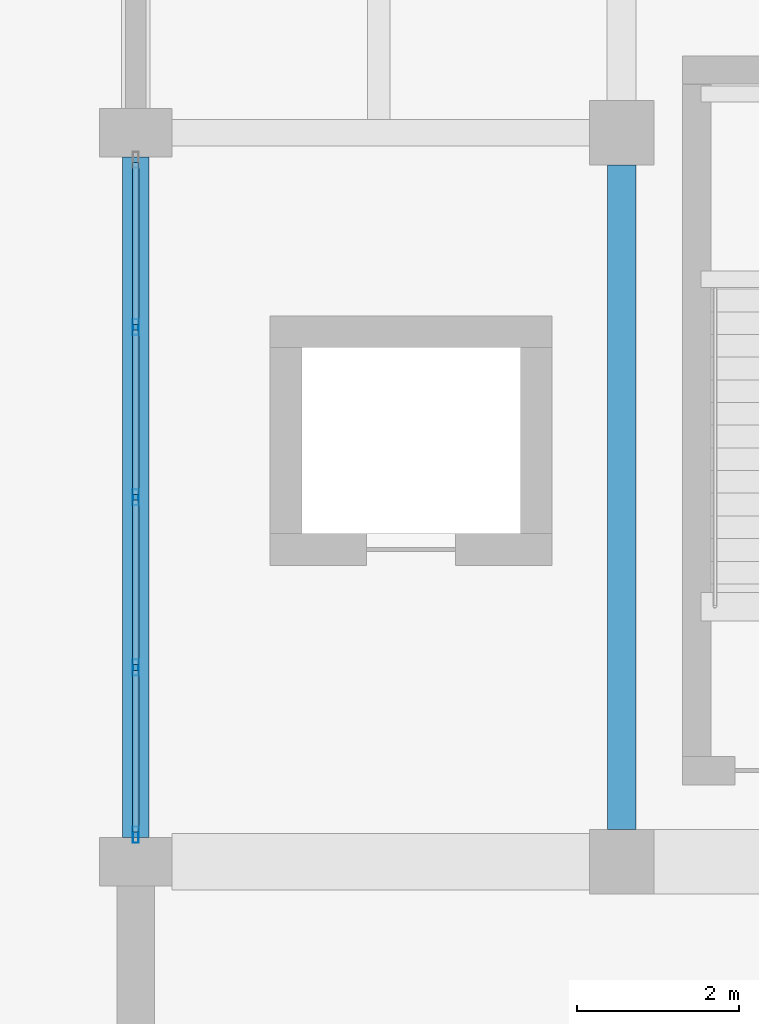
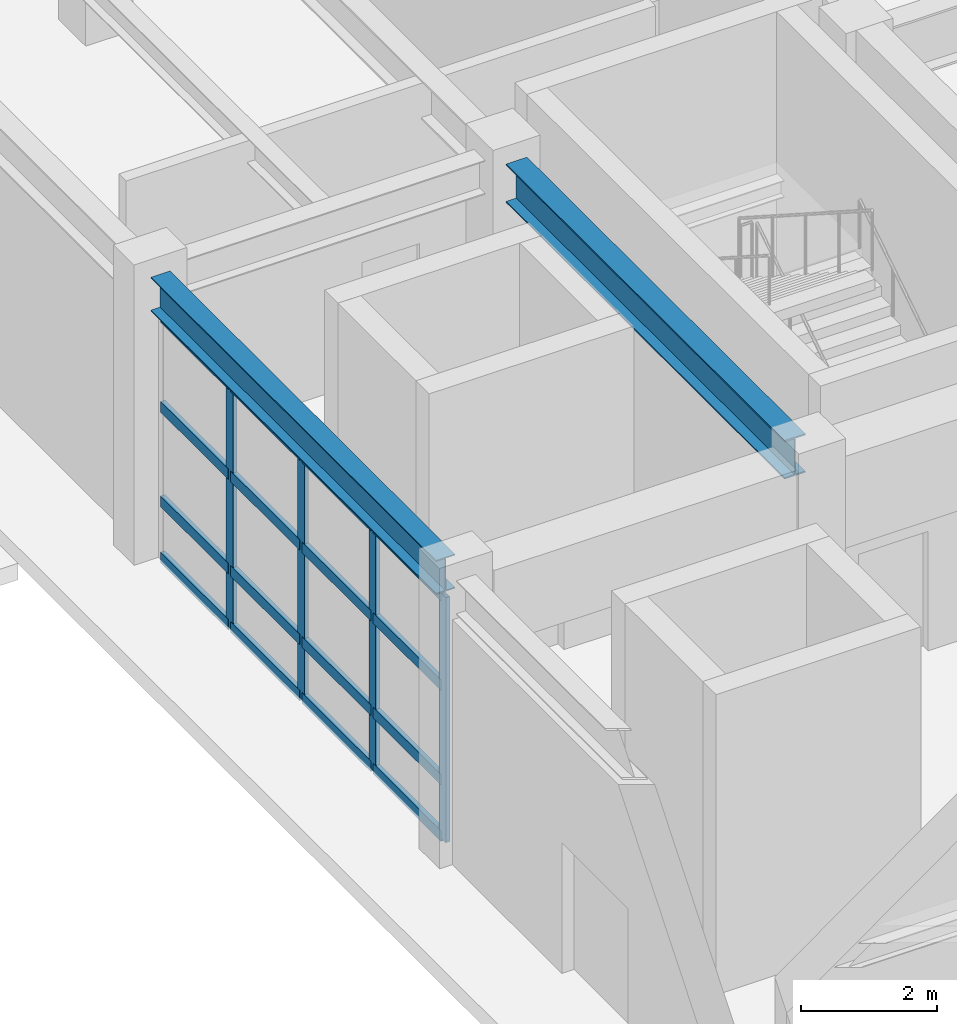
# One storey, part 9 of 91: 20 members, 2 beams, 1 element without a shape of its own.
"""IFC4 building model written with IfcOpenShell, lengths in metres."""

from ifc_helpers import new_model, si_unit, direction, frame, origin, origin_2d, place, context, subcontext, project, spatial, hollow_rectangle, i_section, extrude, material, layer, layer_set, material_profile, profile_set, type_object, element, aggregate, save


model = new_model("IFC4")

# Units and contexts
model_context = context("Model", 3, precision=1e-05, world=origin(), true_north=direction((0.0, 1.0)))
body_context = subcontext(model_context, "Body", "Model", "MODEL_VIEW")
ifc_project = project(units=[si_unit("LENGTHUNIT", "METRE"), si_unit("AREAUNIT", "SQUARE_METRE"), si_unit("VOLUMEUNIT", "CUBIC_METRE"), si_unit("PLANEANGLEUNIT", "RADIAN"), si_unit("MASSUNIT", "GRAM", prefix="KILO")], contexts=[model_context])

# Site, building, storey
site_placement = place(None, origin())
site = spatial("IfcSite", under=ifc_project, at=site_placement, CompositionType="ELEMENT")
building_placement = place(site_placement, origin())
building = spatial("IfcBuilding", under=site, at=building_placement, Name="Vaelkrest Opera House", CompositionType="ELEMENT")
storey_placement = place(building_placement, origin())
storey = spatial("IfcBuildingStorey", under=building, at=storey_placement, Name="L00", CompositionType="ELEMENT", Elevation=0.0)

# Beam
ifc_material_1 = material(Name="Steel A992 Gr50", Category="steel")
ifc_material_profile_1 = material_profile(ifc_material_1, i_section(OverallWidth=0.35498046875, OverallDepth=0.695068359375, WebThickness=0.015380859375, FlangeThickness=0.02490234375, at=origin_2d()), Name="W27X146")
ifc_profile_set_1 = profile_set([ifc_material_profile_1], Name="Steel A992 Gr50")
beam_type_1 = type_object("IfcBeamType", Name="B10", PredefinedType="BEAM", material=ifc_profile_set_1)
beam_1_placement = place(storey_placement, frame((-24.0, -28.39990234375, 4.732421875), z_axis=(0.0, 1.0, 0.0), x_axis=(-1.0, 0.0, 0.0)))
element("IfcBeam", 1, at=beam_1_placement, inside=storey, type_object=beam_type_1, Name="Beam BM-V1-L00-0149", PredefinedType="BEAM", context=body_context, shape_type="SweptSolid", body=[
    extrude(i_section(OverallWidth=0.35498046875, OverallDepth=0.695068359375, WebThickness=0.015380859375, FlangeThickness=0.02490234375, at=origin_2d()), origin(), (0.0, 0.0, 1.0), 8.199951171875),
])

# Curtain wall, members
ifc_material_2 = material(Name="Dark bronze anodized aluminium", Category="aluminium")
ifc_layer = layer(ifc_material_2, 0.22998046875)
ifc_layer_set = layer_set([ifc_layer], Name="Dark bronze anodized aluminium")
curtain_wall_type = type_object("IfcCurtainWallType", Name="CW06", PredefinedType="NOTDEFINED", material=ifc_layer_set)
curtain_wall_placement = place(storey_placement, origin())
curtain_wall = element("IfcCurtainWall", 2, at=curtain_wall_placement, inside=storey, type_object=curtain_wall_type, Name="Curtain wall CW-L00-014", PredefinedType="NOTDEFINED")
ifc_material_profile_2 = material_profile(ifc_material_2, hollow_rectangle(XDim=0.070068359375, YDim=0.199951171875, WallThickness=0.004150390625, at=origin_2d()), Name="CWM70X200")
ifc_profile_set_2 = profile_set([ifc_material_profile_2], Name="Dark bronze anodized aluminium")
member_type_1 = type_object("IfcMemberType", Name="CWM02", PredefinedType="MULLION", material=ifc_profile_set_2)
member_1_placement = place(storey_placement, frame((-30.0, -28.467041015625, 0.0), z_axis=(0.0, 0.0, 1.0), x_axis=(-1.0, 0.0, 0.0)))
member_1 = element("IfcMember", 3, at=member_1_placement, type_object=member_type_1, Name="CW06 mullion 1", PredefinedType="MULLION", context=body_context, shape_type="SweptSolid", body=[
    extrude(hollow_rectangle(XDim=0.070068359375, YDim=0.199951171875, WallThickness=0.004150390625, at=origin_2d()), origin(), (0.0, 0.0, 1.0), 4.404052734375),
])
member_2_placement = place(storey_placement, frame((-30.0, -26.40087890625, 0.0), z_axis=(0.0, 0.0, 1.0), x_axis=(-1.0, 0.0, 0.0)))
member_2 = element("IfcMember", 4, at=member_2_placement, type_object=member_type_1, Name="CW06 mullion 2", PredefinedType="MULLION", context=body_context, shape_type="SweptSolid", body=[
    extrude(hollow_rectangle(XDim=0.070068359375, YDim=0.199951171875, WallThickness=0.004150390625, at=origin_2d()), origin(), (0.0, 0.0, 1.0), 4.404052734375),
])
member_3_placement = place(storey_placement, frame((-30.0, -24.300048828125, 0.0), z_axis=(0.0, 0.0, 1.0), x_axis=(-1.0, 0.0, 0.0)))
member_3 = element("IfcMember", 5, at=member_3_placement, type_object=member_type_1, Name="CW06 mullion 3", PredefinedType="MULLION", context=body_context, shape_type="SweptSolid", body=[
    extrude(hollow_rectangle(XDim=0.070068359375, YDim=0.199951171875, WallThickness=0.004150390625, at=origin_2d()), origin(), (0.0, 0.0, 1.0), 4.404052734375),
])
member_4_placement = place(storey_placement, frame((-30.0, -22.198974609375, 0.0), z_axis=(0.0, 0.0, 1.0), x_axis=(-1.0, 0.0, 0.0)))
member_4 = element("IfcMember", 6, at=member_4_placement, type_object=member_type_1, Name="CW06 mullion 4", PredefinedType="MULLION", context=body_context, shape_type="SweptSolid", body=[
    extrude(hollow_rectangle(XDim=0.070068359375, YDim=0.199951171875, WallThickness=0.004150390625, at=origin_2d()), origin(), (0.0, 0.0, 1.0), 4.404052734375),
])
ifc_material_profile_3 = material_profile(ifc_material_2, hollow_rectangle(XDim=0.080078125, YDim=0.18994140625, WallThickness=0.0048828125, at=origin_2d()), Name="CWT80X190")
ifc_profile_set_3 = profile_set([ifc_material_profile_3], Name="Dark bronze anodized aluminium")
member_type_2 = type_object("IfcMemberType", Name="CWT04", PredefinedType="USERDEFINED", material=ifc_profile_set_3)
member_5_placement = place(storey_placement, frame((-30.0, -28.431884765625, 0.0400390625), z_axis=(0.0, 1.0, 0.0), x_axis=(-1.0, 0.0, 0.0)))
member_5 = element("IfcMember", 7, at=member_5_placement, type_object=member_type_2, Name="CW06 transom 1.1", ObjectType="TRANSOM", PredefinedType="USERDEFINED", context=body_context, shape_type="SweptSolid", body=[
    extrude(hollow_rectangle(XDim=0.080078125, YDim=0.18994140625, WallThickness=0.0048828125, at=origin_2d()), origin(), (0.0, 0.0, 1.0), 1.995849609375),
])
member_6_placement = place(storey_placement, frame((-30.0, -28.431884765625, 1.050048828125), z_axis=(0.0, 1.0, 0.0), x_axis=(-1.0, 0.0, 0.0)))
member_6 = element("IfcMember", 8, at=member_6_placement, type_object=member_type_2, Name="CW06 transom 1.2", ObjectType="TRANSOM", PredefinedType="USERDEFINED", context=body_context, shape_type="SweptSolid", body=[
    extrude(hollow_rectangle(XDim=0.080078125, YDim=0.18994140625, WallThickness=0.0048828125, at=origin_2d()), origin(), (0.0, 0.0, 1.0), 1.995849609375),
])
member_7_placement = place(storey_placement, frame((-30.0, -28.431884765625, 2.75), z_axis=(0.0, 1.0, 0.0), x_axis=(-1.0, 0.0, 0.0)))
member_7 = element("IfcMember", 9, at=member_7_placement, type_object=member_type_2, Name="CW06 transom 1.3", ObjectType="TRANSOM", PredefinedType="USERDEFINED", context=body_context, shape_type="SweptSolid", body=[
    extrude(hollow_rectangle(XDim=0.080078125, YDim=0.18994140625, WallThickness=0.0048828125, at=origin_2d()), origin(), (0.0, 0.0, 1.0), 1.995849609375),
])
member_8_placement = place(storey_placement, frame((-30.0, -28.431884765625, 4.364013671875), z_axis=(0.0, 1.0, 0.0), x_axis=(-1.0, 0.0, 0.0)))
member_8 = element("IfcMember", 10, at=member_8_placement, type_object=member_type_2, Name="CW06 transom 1.4", ObjectType="TRANSOM", PredefinedType="USERDEFINED", context=body_context, shape_type="SweptSolid", body=[
    extrude(hollow_rectangle(XDim=0.080078125, YDim=0.18994140625, WallThickness=0.0048828125, at=origin_2d()), origin(), (0.0, 0.0, 1.0), 1.995849609375),
])
member_9_placement = place(storey_placement, frame((-30.0, -26.365966796875, 0.0400390625), z_axis=(0.0, 1.0, 0.0), x_axis=(-1.0, 0.0, 0.0)))
member_9 = element("IfcMember", 11, at=member_9_placement, type_object=member_type_2, Name="CW06 transom 2.1", ObjectType="TRANSOM", PredefinedType="USERDEFINED", context=body_context, shape_type="SweptSolid", body=[
    extrude(hollow_rectangle(XDim=0.080078125, YDim=0.18994140625, WallThickness=0.0048828125, at=origin_2d()), origin(), (0.0, 0.0, 1.0), 2.031005859375),
])
member_10_placement = place(storey_placement, frame((-30.0, -26.365966796875, 1.050048828125), z_axis=(0.0, 1.0, 0.0), x_axis=(-1.0, 0.0, 0.0)))
member_10 = element("IfcMember", 12, at=member_10_placement, type_object=member_type_2, Name="CW06 transom 2.2", ObjectType="TRANSOM", PredefinedType="USERDEFINED", context=body_context, shape_type="SweptSolid", body=[
    extrude(hollow_rectangle(XDim=0.080078125, YDim=0.18994140625, WallThickness=0.0048828125, at=origin_2d()), origin(), (0.0, 0.0, 1.0), 2.031005859375),
])
member_11_placement = place(storey_placement, frame((-30.0, -26.365966796875, 2.75), z_axis=(0.0, 1.0, 0.0), x_axis=(-1.0, 0.0, 0.0)))
member_11 = element("IfcMember", 13, at=member_11_placement, type_object=member_type_2, Name="CW06 transom 2.3", ObjectType="TRANSOM", PredefinedType="USERDEFINED", context=body_context, shape_type="SweptSolid", body=[
    extrude(hollow_rectangle(XDim=0.080078125, YDim=0.18994140625, WallThickness=0.0048828125, at=origin_2d()), origin(), (0.0, 0.0, 1.0), 2.031005859375),
])
member_12_placement = place(storey_placement, frame((-30.0, -26.365966796875, 4.364013671875), z_axis=(0.0, 1.0, 0.0), x_axis=(-1.0, 0.0, 0.0)))
member_12 = element("IfcMember", 14, at=member_12_placement, type_object=member_type_2, Name="CW06 transom 2.4", ObjectType="TRANSOM", PredefinedType="USERDEFINED", context=body_context, shape_type="SweptSolid", body=[
    extrude(hollow_rectangle(XDim=0.080078125, YDim=0.18994140625, WallThickness=0.0048828125, at=origin_2d()), origin(), (0.0, 0.0, 1.0), 2.031005859375),
])
member_13_placement = place(storey_placement, frame((-30.0, -24.264892578125, 0.0400390625), z_axis=(0.0, 1.0, 0.0), x_axis=(-1.0, 0.0, 0.0)))
member_13 = element("IfcMember", 15, at=member_13_placement, type_object=member_type_2, Name="CW06 transom 3.1", ObjectType="TRANSOM", PredefinedType="USERDEFINED", context=body_context, shape_type="SweptSolid", body=[
    extrude(hollow_rectangle(XDim=0.080078125, YDim=0.18994140625, WallThickness=0.0048828125, at=origin_2d()), origin(), (0.0, 0.0, 1.0), 2.031005859375),
])
member_14_placement = place(storey_placement, frame((-30.0, -24.264892578125, 1.050048828125), z_axis=(0.0, 1.0, 0.0), x_axis=(-1.0, 0.0, 0.0)))
member_14 = element("IfcMember", 16, at=member_14_placement, type_object=member_type_2, Name="CW06 transom 3.2", ObjectType="TRANSOM", PredefinedType="USERDEFINED", context=body_context, shape_type="SweptSolid", body=[
    extrude(hollow_rectangle(XDim=0.080078125, YDim=0.18994140625, WallThickness=0.0048828125, at=origin_2d()), origin(), (0.0, 0.0, 1.0), 2.031005859375),
])
member_15_placement = place(storey_placement, frame((-30.0, -24.264892578125, 2.75), z_axis=(0.0, 1.0, 0.0), x_axis=(-1.0, 0.0, 0.0)))
member_15 = element("IfcMember", 17, at=member_15_placement, type_object=member_type_2, Name="CW06 transom 3.3", ObjectType="TRANSOM", PredefinedType="USERDEFINED", context=body_context, shape_type="SweptSolid", body=[
    extrude(hollow_rectangle(XDim=0.080078125, YDim=0.18994140625, WallThickness=0.0048828125, at=origin_2d()), origin(), (0.0, 0.0, 1.0), 2.031005859375),
])
member_16_placement = place(storey_placement, frame((-30.0, -24.264892578125, 4.364013671875), z_axis=(0.0, 1.0, 0.0), x_axis=(-1.0, 0.0, 0.0)))
member_16 = element("IfcMember", 18, at=member_16_placement, type_object=member_type_2, Name="CW06 transom 3.4", ObjectType="TRANSOM", PredefinedType="USERDEFINED", context=body_context, shape_type="SweptSolid", body=[
    extrude(hollow_rectangle(XDim=0.080078125, YDim=0.18994140625, WallThickness=0.0048828125, at=origin_2d()), origin(), (0.0, 0.0, 1.0), 2.031005859375),
])
member_17_placement = place(storey_placement, frame((-30.0, -22.1640625, 0.0400390625), z_axis=(0.0, 1.0, 0.0), x_axis=(-1.0, 0.0, 0.0)))
member_17 = element("IfcMember", 19, at=member_17_placement, type_object=member_type_2, Name="CW06 transom 4.1", ObjectType="TRANSOM", PredefinedType="USERDEFINED", context=body_context, shape_type="SweptSolid", body=[
    extrude(hollow_rectangle(XDim=0.080078125, YDim=0.18994140625, WallThickness=0.0048828125, at=origin_2d()), origin(), (0.0, 0.0, 1.0), 1.99609375),
])
member_18_placement = place(storey_placement, frame((-30.0, -22.1640625, 1.050048828125), z_axis=(0.0, 1.0, 0.0), x_axis=(-1.0, 0.0, 0.0)))
member_18 = element("IfcMember", 20, at=member_18_placement, type_object=member_type_2, Name="CW06 transom 4.2", ObjectType="TRANSOM", PredefinedType="USERDEFINED", context=body_context, shape_type="SweptSolid", body=[
    extrude(hollow_rectangle(XDim=0.080078125, YDim=0.18994140625, WallThickness=0.0048828125, at=origin_2d()), origin(), (0.0, 0.0, 1.0), 1.99609375),
])
member_19_placement = place(storey_placement, frame((-30.0, -22.1640625, 2.75), z_axis=(0.0, 1.0, 0.0), x_axis=(-1.0, 0.0, 0.0)))
member_19 = element("IfcMember", 21, at=member_19_placement, type_object=member_type_2, Name="CW06 transom 4.3", ObjectType="TRANSOM", PredefinedType="USERDEFINED", context=body_context, shape_type="SweptSolid", body=[
    extrude(hollow_rectangle(XDim=0.080078125, YDim=0.18994140625, WallThickness=0.0048828125, at=origin_2d()), origin(), (0.0, 0.0, 1.0), 1.99609375),
])
member_20_placement = place(storey_placement, frame((-30.0, -22.1640625, 4.364013671875), z_axis=(0.0, 1.0, 0.0), x_axis=(-1.0, 0.0, 0.0)))
member_20 = element("IfcMember", 22, at=member_20_placement, type_object=member_type_2, Name="CW06 transom 4.4", ObjectType="TRANSOM", PredefinedType="USERDEFINED", context=body_context, shape_type="SweptSolid", body=[
    extrude(hollow_rectangle(XDim=0.080078125, YDim=0.18994140625, WallThickness=0.0048828125, at=origin_2d()), origin(), (0.0, 0.0, 1.0), 1.99609375),
])
aggregate(curtain_wall, [member_1, member_2, member_3, member_4, member_5, member_6, member_7, member_8, member_9, member_10, member_11, member_12, member_13, member_14, member_15, member_16, member_17, member_18, member_19, member_20])

# Beam
ifc_material_profile_4 = material_profile(ifc_material_1, i_section(OverallWidth=0.323974609375, OverallDepth=0.611083984375, WebThickness=0.0126953125, FlangeThickness=0.01904296875, at=origin_2d()), Name="W24X104")
ifc_profile_set_4 = profile_set([ifc_material_profile_4], Name="Steel A992 Gr50")
beam_type_2 = type_object("IfcBeamType", Name="SP01", PredefinedType="SPANDREL", material=ifc_profile_set_4)
beam_2_placement = place(storey_placement, frame((-30.0, -28.5, 4.7744140625), z_axis=(0.0, 1.0, 0.0), x_axis=(-1.0, 0.0, 0.0)))
element("IfcBeam", 23, at=beam_2_placement, inside=storey, type_object=beam_type_2, Name="Beam BM-V1-L00-0144", PredefinedType="SPANDREL", context=body_context, shape_type="SweptSolid", body=[
    extrude(i_section(OverallWidth=0.323974609375, OverallDepth=0.611083984375, WebThickness=0.0126953125, FlangeThickness=0.01904296875, at=origin_2d()), origin(), (0.0, 0.0, 1.0), 8.39990234375),
])

save(model, "model.ifc")
